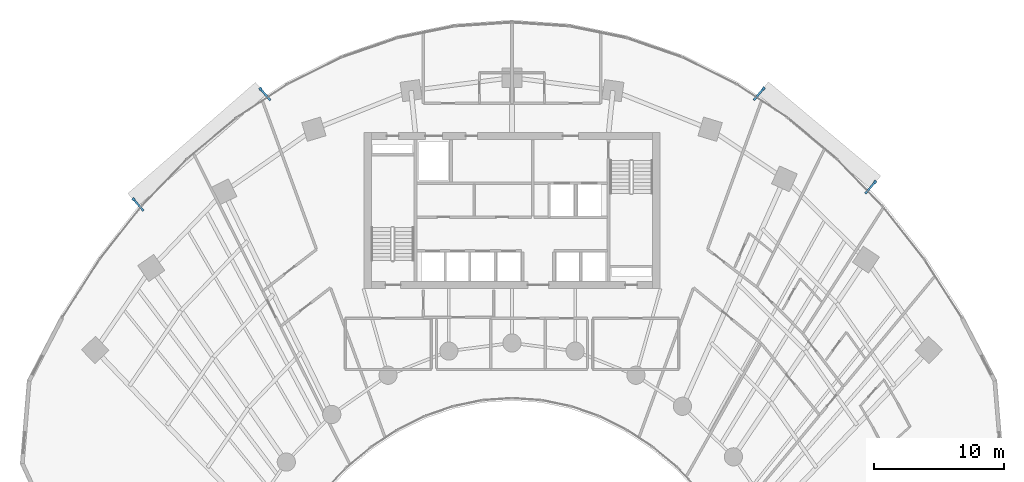
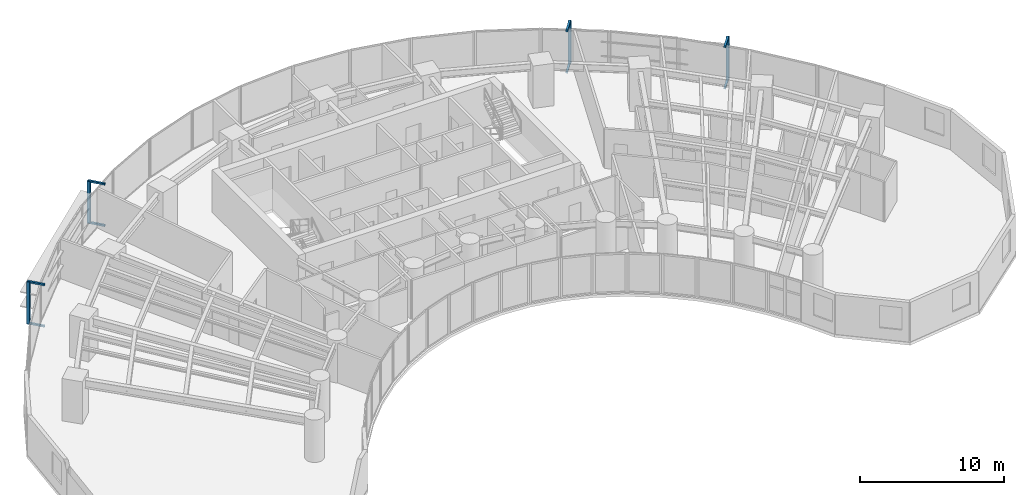
# One storey, part 15 of 17: 12 discrete accessories.
"""IFC4 building model written with IfcOpenShell, lengths in metres."""

from ifc_helpers import new_model, si_unit, direction, frame, origin, origin_2d, place, context, subcontext, project, spatial, rectangle, extrude, source, transform, mapped, material, type_object, type_shapes, element, save


model = new_model("IFC4")

# Units and contexts
model_context = context("Model", 3, precision=1e-05, world=origin(), true_north=direction((0.0, 1.0)))
body_context = subcontext(model_context, "Body", "Model", "MODEL_VIEW")
ifc_project = project(units=[si_unit("LENGTHUNIT", "METRE"), si_unit("AREAUNIT", "SQUARE_METRE"), si_unit("VOLUMEUNIT", "CUBIC_METRE"), si_unit("PLANEANGLEUNIT", "RADIAN"), si_unit("MASSUNIT", "GRAM", prefix="KILO")], contexts=[model_context])

# Site, building, storey
site_placement = place(None, origin())
site = spatial("IfcSite", under=ifc_project, at=site_placement, CompositionType="ELEMENT")
building_placement = place(site_placement, origin())
building = spatial("IfcBuilding", under=site, at=building_placement, Name="Breltana Convention Tower", CompositionType="ELEMENT")
storey_placement = place(building_placement, frame((0.0, 0.0, 60.60009765625)))
storey = spatial("IfcBuildingStorey", under=building, at=storey_placement, Name="L13", CompositionType="ELEMENT", Elevation=60.60009765625)

# Discrete accessories
ifc_material = material(Name="Steel S355", Category="steel")
discrete_accessory_type_1 = type_object("IfcDiscreteAccessoryType", Name="ACC-DSF-BRACKET-150", PredefinedType="BRACKET", material=ifc_material)
shared_shape_1 = source(origin(), body_context, "Body", "SweptSolid", [
    extrude(rectangle(XDim=1.239990234375, YDim=0.14990234375, at=origin_2d()), origin(), (0.0, 0.0, 1.0), 0.139892578125),
])
type_shapes(discrete_accessory_type_1, [shared_shape_1])
for number, where, z_axis, x_axis, name in (
    (1, (19.310791015625, 66.643798828125, -0.16015625), (0.0, 0.0, 1.0), (-0.656456838663, 0.754363585397, 0.0), "L13 double-skin slab stand-off bracket 1.1B"),
    (2, (19.310791015625, 66.643798828125, 3.35986328125), (0.0, 0.0, 1.0), (-0.656456838663, 0.754363585397, 0.0), "L13 double-skin slab stand-off bracket 1.1T"),
    (3, (29.052978515625, 75.121337890625, -0.16015625), (0.0, 0.0, 1.0), (-0.656456838663, 0.754363585397, 0.0), "L13 double-skin slab stand-off bracket 1.2B"),
    (4, (29.052978515625, 75.121337890625, 3.35986328125), (0.0, 0.0, 1.0), (-0.656456838663, 0.754363585397, 0.0), "L13 double-skin slab stand-off bracket 1.2T"),
    (5, (66.954833984375, 75.1435546875, -0.16015625), (0.0, 0.0, 1.0), (0.641990162706, 0.76671287389, 0.0), "L13 double-skin slab stand-off bracket 2.1B"),
    (6, (66.954833984375, 75.1435546875, 3.35986328125), (0.0, 0.0, 1.0), (0.641990162706, 0.76671287389, 0.0), "L13 double-skin slab stand-off bracket 2.1T"),
    (7, (75.516357421875, 67.974853515625, -0.16015625), (0.0, 0.0, 1.0), (0.641990162706, 0.76671287389, 0.0), "L13 double-skin slab stand-off bracket 2.2B"),
    (8, (75.516357421875, 67.974853515625, 3.35986328125), (0.0, 0.0, 1.0), (0.641990162706, 0.76671287389, 0.0), "L13 double-skin slab stand-off bracket 2.2T"),
):
    element("IfcDiscreteAccessory", number, at=place(storey_placement, frame(where, z_axis=z_axis, x_axis=x_axis)), inside=storey, type_object=discrete_accessory_type_1, Name=name, PredefinedType="BRACKET", context=body_context, shape_type="MappedRepresentation", body=[
        mapped(shared_shape_1, transform((0.0, 0.0, 0.0), scale=1.0)),
    ])
discrete_accessory_type_2 = type_object("IfcDiscreteAccessoryType", Name="ACC-DSF-CARRIER-150", PredefinedType="BRACKET", material=ifc_material)
shared_shape_2 = source(origin(), body_context, "Body", "SweptSolid", [
    extrude(rectangle(XDim=0.219970703125, YDim=0.219970703125, at=origin_2d()), origin(), (0.0, 0.0, 1.0), 3.580078125),
])
for number, where, z_axis, x_axis, name in (
    (9, (18.943115234375, 67.066162109375, -0.1201171875), (0.0, 0.0, 1.0), (-0.656456838663, 0.754363585397, 0.0), "L13 double-skin outer vertical carrier 1.1"),
    (10, (28.685302734375, 75.5439453125, -0.1201171875), (0.0, 0.0, 1.0), (-0.656456838663, 0.754363585397, 0.0), "L13 double-skin outer vertical carrier 1.2"),
    (11, (67.314453125, 75.57275390625, -0.1201171875), (0.0, 0.0, 1.0), (0.641990162706, 0.76671287389, 0.0), "L13 double-skin outer vertical carrier 2.1"),
    (12, (75.875732421875, 68.404052734375, -0.1201171875), (0.0, 0.0, 1.0), (0.641990162706, 0.76671287389, 0.0), "L13 double-skin outer vertical carrier 2.2"),
):
    element("IfcDiscreteAccessory", number, at=place(storey_placement, frame(where, z_axis=z_axis, x_axis=x_axis)), inside=storey, type_object=discrete_accessory_type_2, Name=name, PredefinedType="BRACKET", context=body_context, shape_type="MappedRepresentation", body=[
        mapped(shared_shape_2, transform((0.0, 0.0, 0.0), scale=1.0)),
    ])

save(model, "model.ifc")
